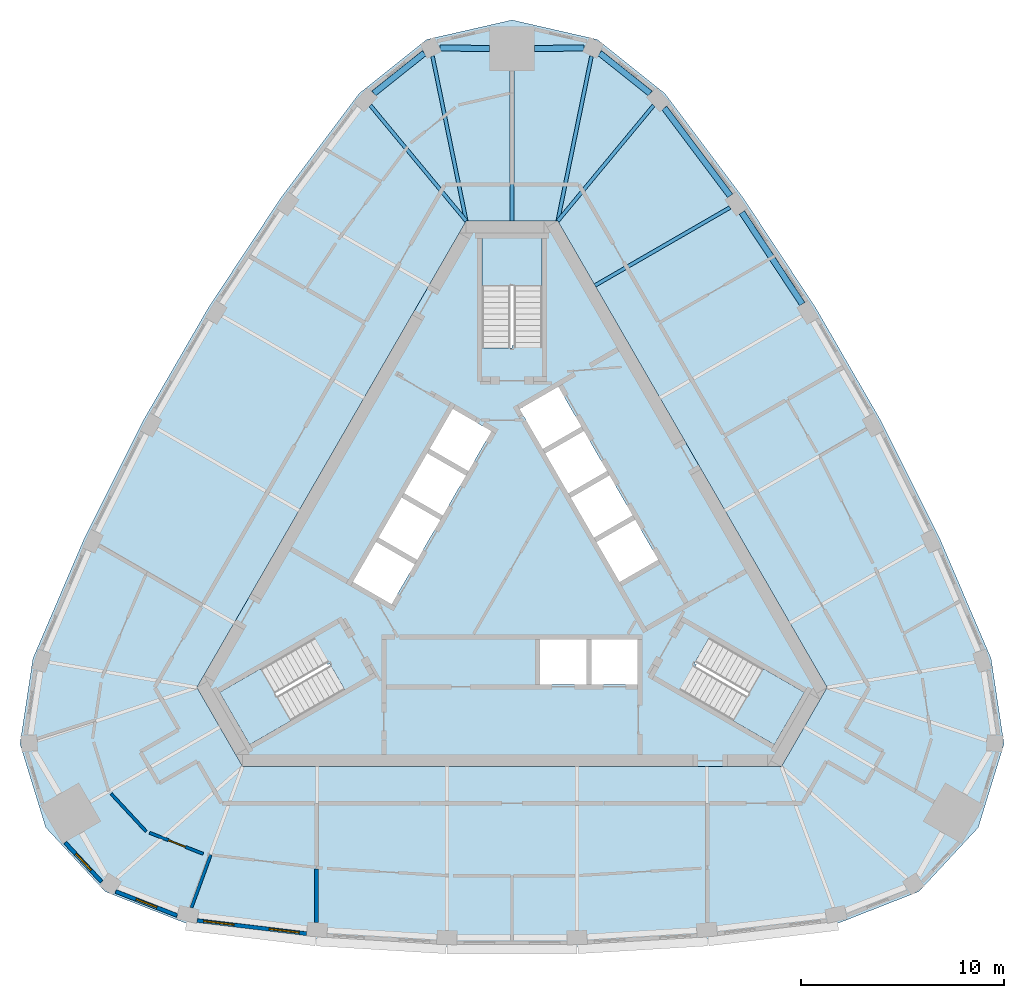
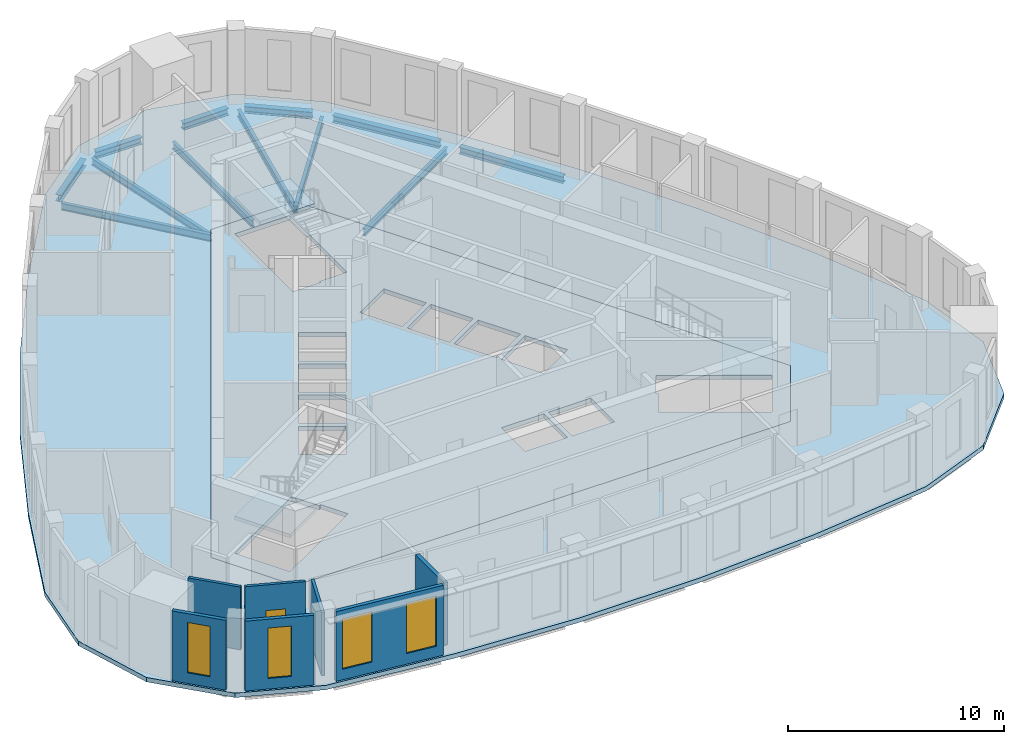
# One storey, part 2 of 10: 12 beams, 7 walls, 5 slabs, 4 windows, 1 door, 5 openings, 3 elements without a shape of their own.
"""IFC4 building model written with IfcOpenShell, lengths in metres."""

import ifcopenshell
import ifcopenshell.guid

model = None  # the IFC model being written
_history = None  # IfcOwnerHistory: only IFC2X3 demands one
_inside = {}  # id of a spatial element -> (the spatial element, [elements in it])
_under = {}  # id of a project, library or spatial element -> (it, [spatial elements below it])
_declared = {}  # id of a project -> (the project, [libraries it declares])
_typed = {}  # id of a type object -> (the type object, [elements of that type])
_made_of = {}  # id of a material, layer set ... -> (it, [elements and type objects made of it])


def new_model(schema):
    """Start an empty IFC model of exactly this schema.

    Asked for "IFC4X3", IfcOpenShell would pick the latest addendum, in which some entities
    have other attributes; the version numbers below select the first issue.
    IFC2X3 requires an IfcOwnerHistory on every rooted entity: one is made here for all.
    """
    global model, _history
    if schema == "IFC4X3":
        model = ifcopenshell.file(schema_version=(4, 3, 0, 0))
    else:
        model = ifcopenshell.file(schema=schema)
    _inside.clear()
    _under.clear()
    _declared.clear()
    _typed.clear()
    _made_of.clear()
    _history = None
    if model.schema == "IFC2X3":
        org = make("IfcOrganization", Name="unknown")
        user = make(
            "IfcPersonAndOrganization",
            ThePerson=make("IfcPerson", FamilyName="unknown"),
            TheOrganization=org,
        )
        app = make(
            "IfcApplication",
            ApplicationDeveloper=org,
            Version="unknown",
            ApplicationFullName="unknown",
            ApplicationIdentifier="unknown",
        )
        _history = make(
            "IfcOwnerHistory",
            OwningUser=user,
            OwningApplication=app,
            ChangeAction="ADDED",
            CreationDate=0,
        )
    return model


def make(cls, **values):
    """One entity of the class cls with the attributes given. An attribute that is None is left unset."""
    return model.create_entity(
        cls, **{name: value for name, value in values.items() if value is not None}
    )


def rooted(cls, **values):
    """An entity with a GlobalId (a new one), such as an element, a storey or a relation."""
    return make(cls, GlobalId=ifcopenshell.guid.new(), OwnerHistory=_history, **values)


def si_unit(unit_type, name, prefix=None):
    """IfcSIUnit, for example si_unit("LENGTHUNIT", "METRE", prefix="MILLI")."""
    return make("IfcSIUnit", UnitType=unit_type, Prefix=prefix, Name=name)


def assignment(units):
    """IfcUnitAssignment: the units of a project."""
    return None if units is None else make("IfcUnitAssignment", Units=units)


def point(xyz):
    """IfcCartesianPoint."""
    return None if xyz is None else make("IfcCartesianPoint", Coordinates=xyz)


def direction(xyz):
    """IfcDirection."""
    return None if xyz is None else make("IfcDirection", DirectionRatios=xyz)


def frame(location, z_axis=None, x_axis=None):
    """IfcAxis2Placement3D, a coordinate frame: its origin and axes. An axis left out is left unset."""
    return make(
        "IfcAxis2Placement3D",
        Location=point(location),
        Axis=direction(z_axis),
        RefDirection=direction(x_axis),
    )


def frame_2d(location, x_axis=None):
    """IfcAxis2Placement2D, a coordinate frame in the plane: its origin and x axis."""
    return make(
        "IfcAxis2Placement2D", Location=point(location), RefDirection=direction(x_axis)
    )


def origin():
    """The frame at (0, 0, 0) with its axes left unset."""
    return frame((0.0, 0.0, 0.0))


def origin_2d():
    """The frame at (0, 0) in the plane with its x axis left unset."""
    return frame_2d((0.0, 0.0))


def place(relative_to, where):
    """IfcLocalPlacement: puts the frame where relative to a parent placement (None: the world)."""
    return make(
        "IfcLocalPlacement", PlacementRelTo=relative_to, RelativePlacement=where
    )


def context(
    kind, dimensions, precision=None, world=None, true_north=None, identifier=None
):
    """IfcGeometricRepresentationContext, for example the 3D "Model" context."""
    return make(
        "IfcGeometricRepresentationContext",
        ContextIdentifier=identifier,
        ContextType=kind,
        CoordinateSpaceDimension=dimensions,
        Precision=precision,
        WorldCoordinateSystem=world,
        TrueNorth=true_north,
    )


def subcontext(parent, identifier, kind, view, scale=None):
    """IfcGeometricRepresentationSubContext, for example "Body" below "Model"."""
    return make(
        "IfcGeometricRepresentationSubContext",
        ContextIdentifier=identifier,
        ContextType=kind,
        ParentContext=parent,
        TargetScale=scale,
        TargetView=view,
    )


def project(units=None, contexts=None):
    """IfcProject with its units and contexts."""
    return rooted(
        "IfcProject",
        Name="project",
        RepresentationContexts=contexts,
        UnitsInContext=assignment(units),
    )


def spatial(cls, under=None, at=None, **own):
    """A site, building, storey or space (cls), placed at a placement, below another one or the project."""
    s = rooted(cls, ObjectPlacement=at, **own)
    if under is not None:
        _under.setdefault(under.id(), (under, []))[1].append(s)
    return s


def polyline(points):
    """IfcPolyline through the points."""
    return make("IfcPolyline", Points=[point(p) for p in points])


def profile(cls, at=None, kind="AREA", **sizes):
    """A parametric profile (cls). Its sizes go by their IFC names, for example OverallWidth=200.0."""
    return make(cls, ProfileType=kind, Position=at, **sizes)


def rectangle(**sizes):
    """IfcRectangleProfileDef."""
    return profile("IfcRectangleProfileDef", **sizes)


def i_section(**sizes):
    """IfcIShapeProfileDef."""
    return profile("IfcIShapeProfileDef", **sizes)


def outline(outer, holes=None, kind="AREA"):
    """IfcArbitraryClosedProfileDef: a profile drawn as a closed curve; with holes, ...WithVoids."""
    if holes is None:
        return make("IfcArbitraryClosedProfileDef", ProfileType=kind, OuterCurve=outer)
    return make(
        "IfcArbitraryProfileDefWithVoids",
        ProfileType=kind,
        OuterCurve=outer,
        InnerCurves=holes,
    )


def extrude(swept, where, along, depth):
    """IfcExtrudedAreaSolid: the profile swept, set in the frame where, extruded along a direction by depth."""
    return make(
        "IfcExtrudedAreaSolid",
        SweptArea=swept,
        Position=where,
        ExtrudedDirection=direction(along),
        Depth=depth,
    )


def shape(context_of_items, identifier, shape_type, items):
    """IfcShapeRepresentation: the items that make up one representation, for example the "Body"."""
    return make(
        "IfcShapeRepresentation",
        ContextOfItems=context_of_items,
        RepresentationIdentifier=identifier,
        RepresentationType=shape_type,
        Items=items,
    )


def material(Name=None, Category=None):
    """IfcMaterial."""
    return make("IfcMaterial", Name=Name, Category=Category)


def layer(
    of_material, thickness, ventilated=None, Name=None, Category=None, Priority=None
):
    """IfcMaterialLayer: one layer of a wall or slab, of a material (None: an air gap)."""
    return make(
        "IfcMaterialLayer",
        Material=of_material,
        LayerThickness=thickness,
        IsVentilated=ventilated,
        Name=Name,
        Category=Category,
        Priority=Priority,
    )


def layer_set(layers, Name=None):
    """IfcMaterialLayerSet."""
    return make("IfcMaterialLayerSet", MaterialLayers=layers, LayerSetName=Name)


def material_profile(
    of_material, cross_section, Name=None, Category=None, Priority=None
):
    """IfcMaterialProfile: a cross section and its material."""
    return make(
        "IfcMaterialProfile",
        Name=Name,
        Material=of_material,
        Profile=cross_section,
        Priority=Priority,
        Category=Category,
    )


def profile_set(profiles, Name=None, composite=None):
    """IfcMaterialProfileSet."""
    return make(
        "IfcMaterialProfileSet",
        Name=Name,
        MaterialProfiles=profiles,
        CompositeProfile=composite,
    )


def made_of(thing, what):
    """Note that an element or type object is made of a material, layer set ...; save() writes the relation."""
    if what is not None:
        _made_of.setdefault(what.id(), (what, []))[1].append(thing)
    return thing


def type_object(cls, material=None, **own):
    """A type object (cls), such as IfcWallType, which elements share."""
    return made_of(rooted(cls, **own), material)


def element(
    cls,
    number,
    at=None,
    inside=None,
    cuts=None,
    type_object=None,
    material=None,
    context=None,
    identifier="Body",
    shape_type=None,
    held_by="IfcProductDefinitionShape",
    body=None,
    shapes=None,
    **own,
):
    """One element of the class cls, such as IfcWall. Its Tag is "e" and its number.

    at: its placement. inside: the storey or other place that contains it. cuts: it is an
    opening in that element (IfcRelVoidsElement). A single representation is given by context,
    identifier, shape_type and body (its items); several are given by shapes. held_by: the class
    of the entity that holds the representations. save() writes the other relations.
    """
    e = rooted(cls, Tag="e%d" % number, ObjectPlacement=at, **own)
    if body is not None:
        shapes = [shape(context, identifier, shape_type, body)]
    if shapes is not None:
        e.Representation = make(held_by, Representations=shapes)
    if inside is not None:
        _inside.setdefault(inside.id(), (inside, []))[1].append(e)
    if cuts is not None:
        rooted(
            "IfcRelVoidsElement", RelatingBuildingElement=cuts, RelatedOpeningElement=e
        )
    if type_object is not None:
        _typed.setdefault(type_object.id(), (type_object, []))[1].append(e)
    return made_of(e, material)


def fill(opening, filler):
    """IfcRelFillsElement: the door or window that sits in an opening."""
    return rooted(
        "IfcRelFillsElement",
        RelatingOpeningElement=opening,
        RelatedBuildingElement=filler,
    )


def aggregate(whole, parts):
    """IfcRelAggregates: a whole, such as a stair, and the parts it consists of."""
    return rooted("IfcRelAggregates", RelatingObject=whole, RelatedObjects=parts)


def save(model, path):
    """Write the relations noted so far, then the file.

    IfcRelAggregates (storeys below a building ...), IfcRelContainedInSpatialStructure (elements
    in a storey), IfcRelDefinesByType, IfcRelAssociatesMaterial and IfcRelDeclares: one each for
    every whole, place, type object, material and project.
    """
    for whole, parts in _under.values():
        aggregate(whole, parts)
    for where, things in _inside.values():
        rooted(
            "IfcRelContainedInSpatialStructure",
            RelatedElements=things,
            RelatingStructure=where,
        )
    for kind, things in _typed.values():
        rooted("IfcRelDefinesByType", RelatedObjects=things, RelatingType=kind)
    for what, things in _made_of.values():
        rooted("IfcRelAssociatesMaterial", RelatedObjects=things, RelatingMaterial=what)
    for by, libraries in _declared.values():
        rooted("IfcRelDeclares", RelatingContext=by, RelatedDefinitions=libraries)
    model.write(path)


model = new_model("IFC4")

# Units and contexts
model_context = context("Model", 3, precision=1e-05, world=origin(), true_north=direction((0.0, 1.0)))
body_context = subcontext(model_context, "Body", "Model", "MODEL_VIEW")
ifc_project = project(units=[si_unit("LENGTHUNIT", "METRE"), si_unit("AREAUNIT", "SQUARE_METRE"), si_unit("VOLUMEUNIT", "CUBIC_METRE"), si_unit("PLANEANGLEUNIT", "RADIAN"), si_unit("MASSUNIT", "GRAM", prefix="KILO")], contexts=[model_context])

# Site, building, storey
site_placement = place(None, origin())
site = spatial("IfcSite", under=ifc_project, at=site_placement, CompositionType="ELEMENT")
building_placement = place(site_placement, origin())
building = spatial("IfcBuilding", under=site, at=building_placement, Name="Mestral Congress Tower", CompositionType="ELEMENT")
storey_placement = place(building_placement, frame((0.0, 0.0, 313.199951171875)))
storey = spatial("IfcBuildingStorey", under=building, at=storey_placement, Name="L73", CompositionType="ELEMENT", Elevation=313.199951171875)

# Beams
ifc_material_1 = material(Name="Steel S355", Category="steel")
ifc_material_profile_1 = material_profile(ifc_material_1, i_section(OverallWidth=0.179931640625, OverallDepth=0.39990234375, WebThickness=0.008544921875, FlangeThickness=0.013427734375, FilletRadius=0.02099609375, at=origin_2d()), Name="IPE 400")
ifc_profile_set_1 = profile_set([ifc_material_profile_1], Name="Steel S355")
beam_type_1 = type_object("IfcBeamType", Name="Floor beam IPE 400 S355", PredefinedType="BEAM", material=ifc_profile_set_1)
beam_1_placement = place(storey_placement, frame((10.7275390625, 17.263916015625, -0.449951171875), z_axis=(-0.866019720907, -0.500009842903, 0.0), x_axis=(0.500009842903, -0.866019720907, 0.0)))
element("IfcBeam", 1, at=beam_1_placement, inside=storey, type_object=beam_type_1, Name="BM-L73-RB5-E04", PredefinedType="BEAM", context=body_context, shape_type="SweptSolid", body=[
    extrude(i_section(OverallWidth=0.179931640625, OverallDepth=0.39990234375, WebThickness=0.008544921875, FlangeThickness=0.013427734375, FilletRadius=0.02099609375, at=origin_2d()), origin(), (0.0, 0.0, 1.0), 7.672119140625),
])
beam_2_placement = place(storey_placement, frame((6.969970703125, 22.2890625, -0.449951171875), z_axis=(-0.638382651591, -0.769719163168, 0.0), x_axis=(0.769719163168, -0.638382651591, 0.0)))
element("IfcBeam", 2, at=beam_2_placement, inside=storey, type_object=beam_type_1, Name="BM-L73-RB5-E05", PredefinedType="BEAM", context=body_context, shape_type="SweptSolid", body=[
    extrude(i_section(OverallWidth=0.179931640625, OverallDepth=0.39990234375, WebThickness=0.008544921875, FlangeThickness=0.013427734375, FilletRadius=0.02099609375, at=origin_2d()), origin(), (0.0, 0.0, 1.0), 7.390869140625),
])
beam_3_placement = place(storey_placement, frame((3.910888671875, 24.7119140625, -0.449951171875), z_axis=(-0.200389803804, -0.979716247967, 0.0), x_axis=(0.979716247967, -0.200389803804, 0.0)))
element("IfcBeam", 3, at=beam_3_placement, inside=storey, type_object=beam_type_1, Name="BM-L73-RB5-N1", PredefinedType="BEAM", context=body_context, shape_type="SweptSolid", body=[
    extrude(i_section(OverallWidth=0.179931640625, OverallDepth=0.39990234375, WebThickness=0.008544921875, FlangeThickness=0.013427734375, FilletRadius=0.02099609375, at=origin_2d()), origin(), (0.0, 0.0, 1.0), 8.27978515625),
])
beam_4_placement = place(storey_placement, frame((0.0, 23.97802734375, -0.449951171875), z_axis=(0.0, -1.0, 0.0), x_axis=(1.0, 0.0, 0.0)))
element("IfcBeam", 4, at=beam_4_placement, inside=storey, type_object=beam_type_1, Name="BM-L73-RB5-N", PredefinedType="BEAM", context=body_context, shape_type="SweptSolid", body=[
    extrude(i_section(OverallWidth=0.179931640625, OverallDepth=0.39990234375, WebThickness=0.008544921875, FlangeThickness=0.013427734375, FilletRadius=0.02099609375, at=origin_2d()), origin(), (0.0, 0.0, 1.0), 7.3779296875),
])
beam_5_placement = place(storey_placement, frame((-3.910888671875, 24.7119140625, -0.449951171875), z_axis=(0.200389803804, -0.979716247967, 0.0), x_axis=(0.979716247967, 0.200389803804, 0.0)))
element("IfcBeam", 5, at=beam_5_placement, inside=storey, type_object=beam_type_1, Name="BM-L73-RB5-N3", PredefinedType="BEAM", context=body_context, shape_type="SweptSolid", body=[
    extrude(i_section(OverallWidth=0.179931640625, OverallDepth=0.39990234375, WebThickness=0.008544921875, FlangeThickness=0.013427734375, FilletRadius=0.02099609375, at=origin_2d()), origin(), (0.0, 0.0, 1.0), 8.27978515625),
])
beam_6_placement = place(storey_placement, frame((-6.969970703125, 22.2890625, -0.449951171875), z_axis=(0.638382651591, -0.769719163168, 0.0), x_axis=(0.769719163168, 0.638382651591, 0.0)))
element("IfcBeam", 6, at=beam_6_placement, inside=storey, type_object=beam_type_1, Name="BM-L73-RB5-W00", PredefinedType="BEAM", context=body_context, shape_type="SweptSolid", body=[
    extrude(i_section(OverallWidth=0.179931640625, OverallDepth=0.39990234375, WebThickness=0.008544921875, FlangeThickness=0.013427734375, FilletRadius=0.02099609375, at=origin_2d()), origin(), (0.0, 0.0, 1.0), 7.390869140625),
])
ifc_material_profile_2 = material_profile(ifc_material_1, i_section(OverallWidth=0.300048828125, OverallDepth=0.389892578125, WebThickness=0.010986328125, FlangeThickness=0.01904296875, FilletRadius=0.027099609375, at=origin_2d()), Name="HEA 400")
ifc_profile_set_2 = profile_set([ifc_material_profile_2], Name="Steel S355")
beam_type_2 = type_object("IfcBeamType", Name="Spandrel beam HEA 400 S355", PredefinedType="BEAM", material=ifc_profile_set_2)
beam_7_placement = place(storey_placement, frame((14.280517578125, 12.51611328125, -0.445068359375), z_axis=(-0.550748957655, 0.83467094453, 0.0), x_axis=(-0.83467094453, -0.550748957655, 0.0)))
element("IfcBeam", 7, at=beam_7_placement, inside=storey, type_object=beam_type_2, Name="SP-L73-SB5-E03", PredefinedType="BEAM", context=body_context, shape_type="SweptSolid", body=[
    extrude(i_section(OverallWidth=0.300048828125, OverallDepth=0.389892578125, WebThickness=0.010986328125, FlangeThickness=0.01904296875, FilletRadius=0.027099609375, at=origin_2d()), origin(), (0.0, 0.0, 1.0), 5.3984375),
])
beam_8_placement = place(storey_placement, frame((10.73193359375, 17.83984375, -0.445068359375), z_axis=(-0.599529393236, 0.800352738888, 0.0), x_axis=(-0.800352738888, -0.599529393236, 0.0)))
element("IfcBeam", 8, at=beam_8_placement, inside=storey, type_object=beam_type_2, Name="SP-L73-SB5-E04", PredefinedType="BEAM", context=body_context, shape_type="SweptSolid", body=[
    extrude(i_section(OverallWidth=0.300048828125, OverallDepth=0.389892578125, WebThickness=0.010986328125, FlangeThickness=0.01904296875, FilletRadius=0.027099609375, at=origin_2d()), origin(), (0.0, 0.0, 1.0), 5.396484375),
])
beam_9_placement = place(storey_placement, frame((6.7998046875, 22.876708984375, -0.445068359375), z_axis=(-0.781647188603, 0.623720829016, 0.0), x_axis=(-0.623720829016, -0.781647188603, 0.0)))
element("IfcBeam", 9, at=beam_9_placement, inside=storey, type_object=beam_type_2, Name="SP-L73-SB5-E05", PredefinedType="BEAM", context=body_context, shape_type="SweptSolid", body=[
    extrude(i_section(OverallWidth=0.300048828125, OverallDepth=0.389892578125, WebThickness=0.010986328125, FlangeThickness=0.01904296875, FilletRadius=0.027099609375, at=origin_2d()), origin(), (0.0, 0.0, 1.0), 3.179931640625),
])
for number, where, z_axis, x_axis, name in (
    (10, (3.54736328125, 25.11181640625, -0.445068359375), (-0.999955093848, -0.009476829002, 0.0), (0.009476829002, -0.999955093848, 0.0), "SP-L73-SB5-N1"),
    (11, (-1.10009765625, 25.088623046875, -0.445068359375), (-0.999955093848, 0.009476829002, 0.0), (-0.009476829002, -0.999955093848, 0.0), "SP-L73-SB5-N"),
):
    element("IfcBeam", number, at=place(storey_placement, frame(where, z_axis=z_axis, x_axis=x_axis)), inside=storey, type_object=beam_type_2, Name=name, PredefinedType="BEAM", context=body_context, shape_type="SweptSolid", body=[
        extrude(i_section(OverallWidth=0.300048828125, OverallDepth=0.389892578125, WebThickness=0.010986328125, FlangeThickness=0.01904296875, FilletRadius=0.027099609375, at=origin_2d()), origin(), (0.0, 0.0, 1.0), 2.447265625),
    ])
beam_10_placement = place(storey_placement, frame((-4.314208984375, 24.860107421875, -0.445068359375), z_axis=(-0.781647188603, -0.623720829016, 0.0), x_axis=(0.623720829016, -0.781647188603, 0.0)))
element("IfcBeam", 12, at=beam_10_placement, inside=storey, type_object=beam_type_2, Name="SP-L73-SB5-N3", PredefinedType="BEAM", context=body_context, shape_type="SweptSolid", body=[
    extrude(i_section(OverallWidth=0.300048828125, OverallDepth=0.389892578125, WebThickness=0.010986328125, FlangeThickness=0.01904296875, FilletRadius=0.027099609375, at=origin_2d()), origin(), (0.0, 0.0, 1.0), 3.179931640625),
])

# Slabs
ifc_material_2 = material(Name="Concrete C35/45", Category="concrete")
ifc_layer_1 = layer(ifc_material_2, 0.25)
ifc_layer_set_1 = layer_set([ifc_layer_1], Name="Concrete C35/45")
slab_type_1 = type_object("IfcSlabType", Name="Composite floor slab 250", PredefinedType="FLOOR", material=ifc_layer_set_1)
placement_1 = place(storey_placement, frame((0.0, 0.0, -0.25)))
element("IfcSlab", 13, at=placement_1, inside=storey, type_object=slab_type_1, Name="SL-L73", PredefinedType="FLOOR", context=body_context, shape_type="SweptSolid", body=[
    extrude(outline(polyline([(-16.051513671875, -17.951904296875), (-20.014404296875, -16.39794921875), (-22.940673828125, -13.244873046875), (-24.208251953125, -9.1337890625), (-23.572509765625, -4.925048828125), (-21.027587890625, 1.0234375), (-18.152099609375, 6.77001953125), (-14.939208984375, 12.335205078125), (-11.400146484375, 17.698486328125), (-7.52099609375, 22.876953125), (-4.19384765625, 25.531982421875), (0.0, 26.48974609375), (4.19384765625, 25.531982421875), (7.52099609375, 22.876953125), (11.400146484375, 17.698486328125), (14.939208984375, 12.335205078125), (18.152099609375, 6.77001953125), (21.027587890625, 1.0234375), (23.572509765625, -4.925048828125), (24.208251953125, -9.1337890625), (22.940673828125, -13.244873046875), (20.014404296875, -16.39794921875), (16.051513671875, -17.951904296875), (9.62744140625, -18.72216796875), (3.212890625, -19.105224609375), (-3.212890625, -19.105224609375), (-9.62744140625, -18.72216796875), (-16.051513671875, -17.951904296875)]), holes=[polyline([(-2.251708984375, 16.60009765625), (-15.501953125, -6.35009765625), (-13.250244140625, -10.25), (13.250244140625, -10.25), (15.501953125, -6.35009765625), (2.251708984375, 16.60009765625), (-2.251708984375, 16.60009765625)])]), origin(), (0.0, 0.0, 1.0), 0.25),
])
ifc_material_3 = material(Name="Concrete C60/75", Category="concrete")
ifc_layer_2 = layer(ifc_material_3, 0.25)
ifc_layer_set_2 = layer_set([ifc_layer_2], Name="Concrete C60/75")
slab_type_2 = type_object("IfcSlabType", Name="Core floor slab RC 250", PredefinedType="FLOOR", material=ifc_layer_set_2)
element("IfcSlab", 14, at=placement_1, inside=storey, type_object=slab_type_2, Name="L73 core floor", PredefinedType="FLOOR", context=body_context, shape_type="SweptSolid", body=[
    extrude(outline(polyline([(13.250244140625, -10.25), (-13.250244140625, -10.25), (-15.501953125, -6.35009765625), (-2.251708984375, 16.60009765625), (2.251708984375, 16.60009765625), (15.501953125, -6.35009765625), (13.250244140625, -10.25)]), holes=[polyline([(-14.37744140625, -6.59765625), (-12.90234375, -9.15234375), (-8.234619140625, -6.45751953125), (-8.971923828125, -5.179931640625), (-9.0673828125, -5.235107421875), (-9.8046875, -3.95751953125), (-14.37744140625, -6.59765625)]), polyline([(-5.921630859375, -2.256591796875), (-4.78662109375, -0.29052734375), (-6.69189453125, 0.809326171875), (-7.826904296875, -1.156494140625), (-5.921630859375, -2.256591796875)]), polyline([(-4.66162109375, -0.07421875), (-3.526611328125, 1.8916015625), (-5.431884765625, 2.99169921875), (-6.56689453125, 1.02587890625), (-4.66162109375, -0.07421875)]), polyline([(-2.2666015625, 4.07421875), (-4.171875, 5.174072265625), (-5.306884765625, 3.208251953125), (-3.401611328125, 2.1083984375), (-2.2666015625, 4.07421875)]), polyline([(-2.1416015625, 4.29052734375), (-1.006591796875, 6.256591796875), (-2.911865234375, 7.3564453125), (-4.046875, 5.390625), (-2.1416015625, 4.29052734375)]), polyline([(0.376708984375, 7.34765625), (1.51171875, 5.3818359375), (3.4169921875, 6.481689453125), (2.281982421875, 8.44775390625), (0.376708984375, 7.34765625)]), polyline([(1.47509765625, 15.75), (-1.47509765625, 15.75), (-1.47509765625, 10.360107421875), (0.0, 10.360107421875), (0.0, 10.469970703125), (1.47509765625, 10.469970703125), (1.47509765625, 15.75)]), polyline([(8.329833984375, -6.512451171875), (12.90234375, -9.15234375), (14.37744140625, -6.59765625), (9.70947265625, -3.902587890625), (8.971923828125, -5.179931640625), (9.0673828125, -5.235107421875), (8.329833984375, -6.512451171875)]), polyline([(3.655029296875, -4.0), (1.385009765625, -4.0), (1.385009765625, -6.199951171875), (3.655029296875, -6.199951171875), (3.655029296875, -4.0)]), polyline([(6.175048828125, -4.0), (3.905029296875, -4.0), (3.905029296875, -6.199951171875), (6.175048828125, -6.199951171875), (6.175048828125, -4.0)]), polyline([(4.156494140625, 0.800537109375), (5.29150390625, -1.165283203125), (7.197021484375, -0.065185546875), (6.06201171875, 1.900634765625), (4.156494140625, 0.800537109375)]), polyline([(2.896484375, 2.98291015625), (4.031494140625, 1.01708984375), (5.93701171875, 2.1171875), (4.802001953125, 4.0830078125), (2.896484375, 2.98291015625)]), polyline([(1.63671875, 5.165283203125), (2.771484375, 3.199462890625), (4.677001953125, 4.29931640625), (3.5419921875, 6.265380859375), (1.63671875, 5.165283203125)])]), origin(), (0.0, 0.0, 1.0), 0.25),
])

# Stair, slab
stair_type = type_object("IfcStairType", Name="Exit stair 1400", PredefinedType="HALF_TURN_STAIR", material=ifc_material_3)
placement_2 = place(storey_placement, origin())
stair_1 = element("IfcStair", 15, at=placement_2, inside=storey, type_object=stair_type, Name="L73 ST1", PredefinedType="HALF_TURN_STAIR")
ifc_layer_3 = layer(ifc_material_3, 0.199951171875)
ifc_layer_set_3 = layer_set([ifc_layer_3], Name="Concrete C60/75")
slab_type_3 = type_object("IfcSlabType", Name="Exit stair landing 200", PredefinedType="LANDING", material=ifc_layer_set_3)
placement_3 = place(storey_placement, frame((0.0, 0.0, 1.900146484375)))
slab_3 = element("IfcSlab", 16, at=placement_3, type_object=slab_type_3, Name="ST1 landing 1", PredefinedType="LANDING", context=body_context, shape_type="SweptSolid", body=[
    extrude(outline(polyline([(10.879638671875, -7.99609375), (12.364501953125, -5.424072265625), (14.39111328125, -6.593994140625), (12.906005859375, -9.166015625), (10.879638671875, -7.99609375)])), origin(), (0.0, 0.0, 1.0), 0.199951171875),
])
aggregate(stair_1, [slab_3])

stair_2 = element("IfcStair", 17, at=placement_2, inside=storey, type_object=stair_type, Name="L73 ST2", PredefinedType="HALF_TURN_STAIR")
slab_4 = element("IfcSlab", 18, at=placement_3, type_object=slab_type_3, Name="ST2 landing 1", PredefinedType="LANDING", context=body_context, shape_type="SweptSolid", body=[
    extrude(outline(polyline([(1.485107421875, 13.419921875), (-1.485107421875, 13.419921875), (-1.485107421875, 15.760009765625), (1.485107421875, 15.760009765625), (1.485107421875, 13.419921875)])), origin(), (0.0, 0.0, 1.0), 0.199951171875),
])
aggregate(stair_2, [slab_4])

stair_3 = element("IfcStair", 19, at=placement_2, inside=storey, type_object=stair_type, Name="L73 ST3", PredefinedType="HALF_TURN_STAIR")
slab_5 = element("IfcSlab", 20, at=placement_3, type_object=slab_type_3, Name="ST3 landing 1", PredefinedType="LANDING", context=body_context, shape_type="SweptSolid", body=[
    extrude(outline(polyline([(-12.364501953125, -5.424072265625), (-10.879638671875, -7.99609375), (-12.906005859375, -9.166015625), (-14.39111328125, -6.593994140625), (-12.364501953125, -5.424072265625)])), origin(), (0.0, 0.0, 1.0), 0.199951171875),
])
aggregate(stair_3, [slab_5])

# Wall, openings, windows
ifc_material_4 = material(Name="Precast concrete C40/50 with limestone facing", Category="masonry")
ifc_layer_4 = layer(ifc_material_4, 0.18994140625)
ifc_layer_set_4 = layer_set([ifc_layer_4], Name="Precast concrete C40/50 with limestone facing")
wall_type_1 = type_object("IfcWallType", Name="Facade stone wall 190", PredefinedType="SOLIDWALL", material=ifc_layer_set_4)
wall_1_placement = place(storey_placement, frame((-15.487060546875, -17.822998046875, 0.0), z_axis=(0.0, 0.0, 1.0), x_axis=(0.992885582795, -0.119072328769, 0.0)))
wall_1 = element("IfcWall", 21, at=wall_1_placement, inside=storey, type_object=wall_type_1, Name="Facade wall F0-00", PredefinedType="SOLIDWALL", context=body_context, shape_type="SweptSolid", body=[
    extrude(rectangle(XDim=5.4150390625, YDim=0.18994140625, at=frame_2d((2.70751953125, 0.0))), origin(), (0.0, 0.0, 1.0), 3.949951171875),
])
opening_1_placement = place(wall_1_placement, frame((0.322509765625, 0.0, 0.60009765625)))
opening_1 = element("IfcOpeningElement", 22, at=opening_1_placement, cuts=wall_1, Name="Opening W6", PredefinedType="OPENING", context=body_context, shape_type="SweptSolid", body=[
    extrude(rectangle(XDim=1.5, YDim=2.85009765625, at=frame_2d((0.75, 1.425048828125))), frame((0.0, 0.10498046875, 0.0), z_axis=(0.0, -1.0, 0.0), x_axis=(1.0, 0.0, 0.0)), (0.0, 0.0, 1.0), 0.2099609375),
])
opening_2_placement = place(wall_1_placement, frame((3.5576171875, 0.0, 0.60009765625)))
opening_2 = element("IfcOpeningElement", 23, at=opening_2_placement, cuts=wall_1, Name="Opening W6", PredefinedType="OPENING", context=body_context, shape_type="SweptSolid", body=[
    extrude(rectangle(XDim=1.5, YDim=2.85009765625, at=frame_2d((0.75, 1.425048828125))), frame((0.0, 0.10498046875, 0.0), z_axis=(0.0, -1.0, 0.0), x_axis=(1.0, 0.0, 0.0)), (0.0, 0.0, 1.0), 0.2099609375),
])
ifc_material_5 = material(Name="Clear low-emissivity double glazing", Category="glass")
window_type_1 = type_object("IfcWindowType", Name="Facade punched window 1500 x 2850 sill 600", PartitioningType="SINGLE_PANEL", PredefinedType="WINDOW", material=ifc_material_5)
window_1_placement = place(opening_1_placement, origin())
window_1 = element("IfcWindow", 24, at=window_1_placement, inside=storey, type_object=window_type_1, Name="Window F0-00a", OverallHeight=2.85009765625, OverallWidth=1.5, PartitioningType="SINGLE_PANEL", PredefinedType="WINDOW", context=body_context, shape_type="SweptSolid", body=[
    extrude(rectangle(XDim=1.5, YDim=2.85009765625, at=frame_2d((0.75, 1.425048828125))), frame((0.0, 0.044921875, 0.0), z_axis=(0.0, -1.0, 0.0), x_axis=(1.0, 0.0, 0.0)), (0.0, 0.0, 1.0), 0.06005859375),
])
fill(opening_1, window_1)
window_2_placement = place(opening_2_placement, origin())
window_2 = element("IfcWindow", 25, at=window_2_placement, inside=storey, type_object=window_type_1, Name="Window F0-00b", OverallHeight=2.85009765625, OverallWidth=1.5, PartitioningType="SINGLE_PANEL", PredefinedType="WINDOW", context=body_context, shape_type="SweptSolid", body=[
    extrude(rectangle(XDim=1.5, YDim=2.85009765625, at=frame_2d((0.75, 1.425048828125))), frame((0.0, 0.044921875, 0.0), z_axis=(0.0, -1.0, 0.0), x_axis=(1.0, 0.0, 0.0)), (0.0, 0.0, 1.0), 0.06005859375),
])
fill(opening_2, window_2)

# Wall, opening, window
wall_2_placement = place(storey_placement, frame((-21.98486328125, -13.988037109375, 0.0), z_axis=(0.0, 0.0, 1.0), x_axis=(0.680219354823, -0.733008614768, 0.0)))
wall_2 = element("IfcWall", 26, at=wall_2_placement, inside=storey, type_object=wall_type_1, Name="Facade wall K2-2", PredefinedType="SOLIDWALL", context=body_context, shape_type="SweptSolid", body=[
    extrude(rectangle(XDim=2.626953125, YDim=0.18994140625, at=frame_2d((1.3134765625, 0.0))), origin(), (0.0, 0.0, 1.0), 3.949951171875),
])
opening_3_placement = place(wall_2_placement, frame((0.763427734375, 0.0, 0.60009765625)))
opening_3 = element("IfcOpeningElement", 27, at=opening_3_placement, cuts=wall_2, Name="Opening W7", PredefinedType="OPENING", context=body_context, shape_type="SweptSolid", body=[
    extrude(rectangle(XDim=1.10009765625, YDim=2.85009765625, at=frame_2d((0.550048828125, 1.425048828125))), frame((0.0, 0.10498046875, 0.0), z_axis=(0.0, -1.0, 0.0), x_axis=(1.0, 0.0, 0.0)), (0.0, 0.0, 1.0), 0.2099609375),
])
window_type_2 = type_object("IfcWindowType", Name="Facade punched window 1100 x 2850 sill 600", PartitioningType="SINGLE_PANEL", PredefinedType="WINDOW", material=ifc_material_5)
window_3_placement = place(opening_3_placement, origin())
window_3 = element("IfcWindow", 28, at=window_3_placement, inside=storey, type_object=window_type_2, Name="Window K2-2", OverallHeight=2.85009765625, OverallWidth=1.10009765625, PartitioningType="SINGLE_PANEL", PredefinedType="WINDOW", context=body_context, shape_type="SweptSolid", body=[
    extrude(rectangle(XDim=1.10009765625, YDim=2.85009765625, at=frame_2d((0.550048828125, 1.425048828125))), frame((0.0, 0.044921875, 0.0), z_axis=(0.0, -1.0, 0.0), x_axis=(1.0, 0.0, 0.0)), (0.0, 0.0, 1.0), 0.06005859375),
])
fill(opening_3, window_3)

wall_3_placement = place(storey_placement, frame((-19.496337890625, -16.3916015625, 0.0), z_axis=(0.0, 0.0, 1.0), x_axis=(0.93100888477, -0.364996515709, 0.0)))
wall_3 = element("IfcWall", 29, at=wall_3_placement, inside=storey, type_object=wall_type_1, Name="Facade wall K2-3", PredefinedType="SOLIDWALL", context=body_context, shape_type="SweptSolid", body=[
    extrude(rectangle(XDim=3.23681640625, YDim=0.18994140625, at=frame_2d((1.618408203125, 0.0))), origin(), (0.0, 0.0, 1.0), 3.949951171875),
])
opening_4_placement = place(wall_3_placement, frame((1.068359375, 0.0, 0.60009765625)))
opening_4 = element("IfcOpeningElement", 30, at=opening_4_placement, cuts=wall_3, Name="Opening W7", PredefinedType="OPENING", context=body_context, shape_type="SweptSolid", body=[
    extrude(rectangle(XDim=1.10009765625, YDim=2.85009765625, at=frame_2d((0.550048828125, 1.425048828125))), frame((0.0, 0.10498046875, 0.0), z_axis=(0.0, -1.0, 0.0), x_axis=(1.0, 0.0, 0.0)), (0.0, 0.0, 1.0), 0.2099609375),
])
window_4_placement = place(opening_4_placement, origin())
window_4 = element("IfcWindow", 31, at=window_4_placement, inside=storey, type_object=window_type_2, Name="Window K2-3", OverallHeight=2.85009765625, OverallWidth=1.10009765625, PartitioningType="SINGLE_PANEL", PredefinedType="WINDOW", context=body_context, shape_type="SweptSolid", body=[
    extrude(rectangle(XDim=1.10009765625, YDim=2.85009765625, at=frame_2d((0.550048828125, 1.425048828125))), frame((0.0, 0.044921875, 0.0), z_axis=(0.0, -1.0, 0.0), x_axis=(1.0, 0.0, 0.0)), (0.0, 0.0, 1.0), 0.06005859375),
])
fill(opening_4, window_4)

# Walls
ifc_material_6 = material(Name="Plasterboard partition on steel studs", Category="steel")
ifc_layer_5 = layer(ifc_material_6, 0.14990234375)
ifc_layer_set_5 = layer_set([ifc_layer_5], Name="Plasterboard partition on steel studs")
wall_type_2 = type_object("IfcWallType", Name="Office partition 150", PredefinedType="PARTITIONING", material=ifc_layer_set_5)
wall_4_placement = place(storey_placement, frame((-14.826416015625, -14.583740234375, 0.0), z_axis=(0.0, 0.0, 1.0), x_axis=(-0.341806672652, -0.9397702903, 0.0)))
element("IfcWall", 32, at=wall_4_placement, inside=storey, type_object=wall_type_2, Name="Partition", PredefinedType="PARTITIONING", context=body_context, shape_type="SweptSolid", body=[
    extrude(rectangle(XDim=2.7734375, YDim=0.14990234375, at=frame_2d((1.38671875, 0.0))), origin(), (0.0, 0.0, 1.0), 3.550048828125),
])
wall_5_placement = place(storey_placement, frame((-19.722900390625, -11.58154296875, 0.0), z_axis=(0.0, 0.0, 1.0), x_axis=(0.680277472793, -0.732954678005, 0.0)))
element("IfcWall", 33, at=wall_5_placement, inside=storey, type_object=wall_type_2, Name="Partition", PredefinedType="PARTITIONING", context=body_context, shape_type="SweptSolid", body=[
    extrude(rectangle(XDim=2.53515625, YDim=0.14990234375, at=frame_2d((1.267578125, 0.0))), origin(), (0.0, 0.0, 1.0), 3.550048828125),
])

# Wall, opening, door
wall_6_placement = place(storey_placement, frame((-15.19287109375, -14.539794921875, 0.0), z_axis=(0.0, 0.0, 1.0), x_axis=(-0.930968616147, 0.36509921357, 0.0)))
wall_6 = element("IfcWall", 34, at=wall_6_placement, inside=storey, type_object=wall_type_2, Name="Partition", PredefinedType="PARTITIONING", context=body_context, shape_type="SweptSolid", body=[
    extrude(rectangle(XDim=2.840576171875, YDim=0.14990234375, at=frame_2d((1.42041015625, 0.0))), origin(), (0.0, 0.0, 1.0), 3.550048828125),
])
opening_5_placement = place(wall_6_placement, frame((0.940673828125, 0.0, 0.0)))
opening_5 = element("IfcOpeningElement", 35, at=opening_5_placement, cuts=wall_6, Name="Opening O14-016", PredefinedType="OPENING", context=body_context, shape_type="SweptSolid", body=[
    extrude(rectangle(XDim=0.89990234375, YDim=2.10009765625, at=frame_2d((0.449951171875, 1.050048828125))), frame((0.0, 0.0849609375, 0.0), z_axis=(0.0, -1.0, 0.0), x_axis=(1.0, 0.0, 0.0)), (0.0, 0.0, 1.0), 0.169921875),
])
ifc_material_7 = material(Name="Timber door set", Category="wood")
door_type = type_object("IfcDoorType", Name="Office door 900x2100", OperationType="SINGLE_SWING_LEFT", PredefinedType="DOOR", material=ifc_material_7)
door_placement = place(opening_5_placement, origin())
door = element("IfcDoor", 36, at=door_placement, inside=storey, type_object=door_type, Name="Door O14-016", OperationType="SINGLE_SWING_LEFT", OverallHeight=2.10009765625, OverallWidth=0.89990234375, PredefinedType="DOOR", context=body_context, shape_type="SweptSolid", body=[
    extrude(rectangle(XDim=0.89990234375, YDim=2.10009765625, at=frame_2d((0.449951171875, 1.050048828125))), frame((0.0, 0.02490234375, 0.0), z_axis=(0.0, -1.0, 0.0), x_axis=(1.0, 0.0, 0.0)), (0.0, 0.0, 1.0), 0.050048828125),
])
fill(opening_5, door)

# Wall
ifc_material_8 = material(Name="Dense masonry wall, plastered", Category="masonry")
ifc_layer_6 = layer(ifc_material_8, 0.199951171875)
ifc_layer_set_6 = layer_set([ifc_layer_6], Name="Dense masonry wall, plastered")
wall_type_3 = type_object("IfcWallType", Name="Office tenancy wall 200", PredefinedType="PARTITIONING", material=ifc_layer_set_6)
wall_7_placement = place(storey_placement, frame((-9.62744140625, -17.918701171875, 0.0), z_axis=(0.0, 0.0, 1.0), x_axis=(0.0, 1.0, 0.0)))
element("IfcWall", 37, at=wall_7_placement, inside=storey, type_object=wall_type_3, Name="Tenancy wall", PredefinedType="PARTITIONING", context=body_context, shape_type="SweptSolid", body=[
    extrude(rectangle(XDim=2.635986328125, YDim=0.199951171875, at=frame_2d((1.31787109375, 0.0))), origin(), (0.0, 0.0, 1.0), 3.550048828125),
])

save(model, "model.ifc")
